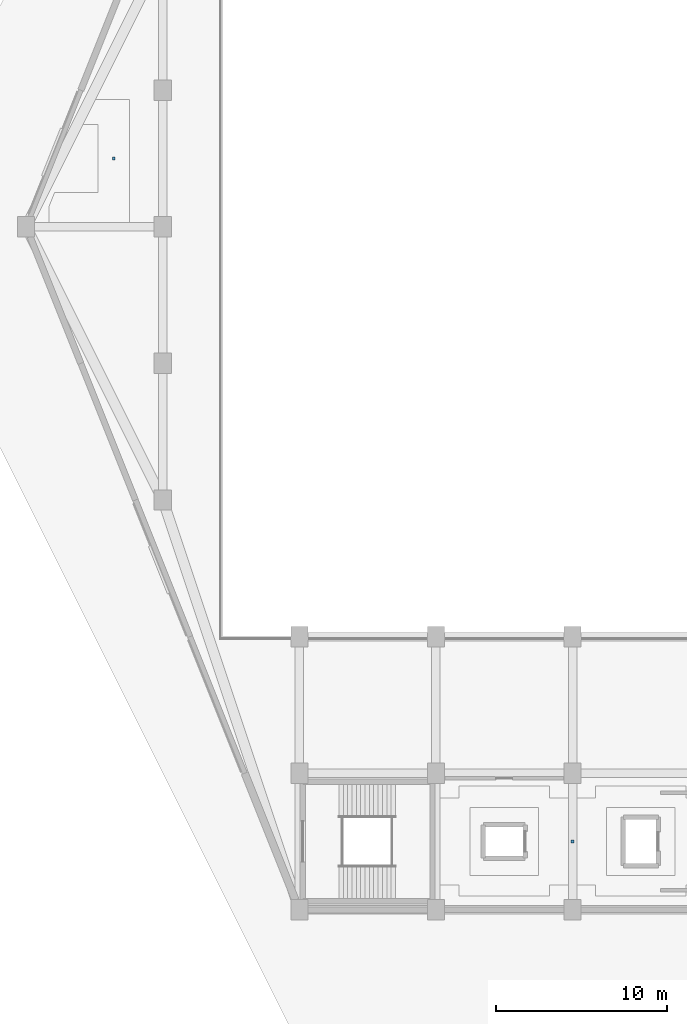
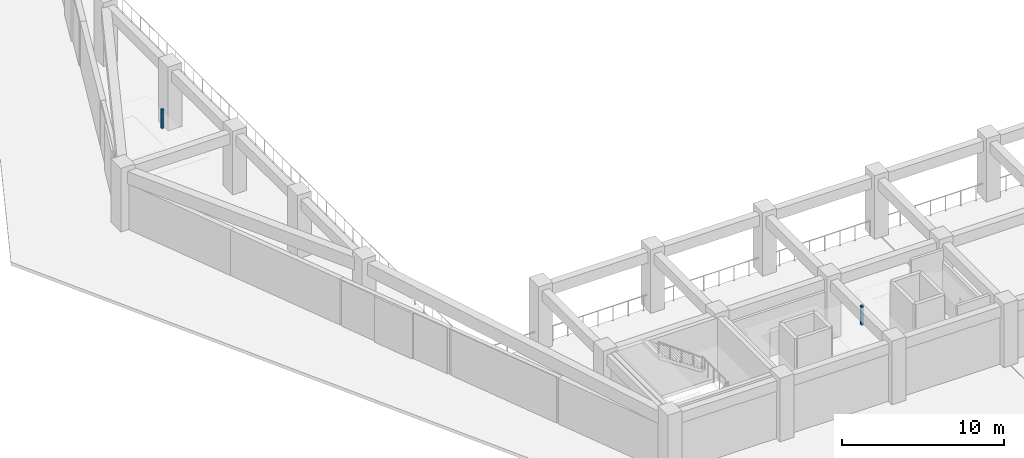
# One storey, part 6 of 8: 2 discrete accessories.
"""IFC4 building model written with IfcOpenShell, lengths in metres."""

from ifc_helpers import new_model, si_unit, direction, frame, origin, origin_2d, place, context, subcontext, project, spatial, rectangle, extrude, material, type_object, element, save


model = new_model("IFC4")

# Units and contexts
model_context = context("Model", 3, precision=1e-05, world=origin(), true_north=direction((0.0, 1.0)))
body_context = subcontext(model_context, "Body", "Model", "MODEL_VIEW")
ifc_project = project(units=[si_unit("LENGTHUNIT", "METRE"), si_unit("AREAUNIT", "SQUARE_METRE"), si_unit("VOLUMEUNIT", "CUBIC_METRE"), si_unit("PLANEANGLEUNIT", "RADIAN"), si_unit("MASSUNIT", "GRAM", prefix="KILO")], contexts=[model_context])

# Site, building, storey
site_placement = place(None, origin())
site = spatial("IfcSite", under=ifc_project, at=site_placement, CompositionType="ELEMENT")
building_placement = place(site_placement, origin())
building = spatial("IfcBuilding", under=site, at=building_placement, Name="Tazarka Park Arena", CompositionType="ELEMENT")
storey_placement = place(building_placement, frame((0.0, 0.0, 19.800048828125)))
storey = spatial("IfcBuildingStorey", under=building, at=storey_placement, Name="L04", CompositionType="ELEMENT", Elevation=19.800048828125)

# Discrete accessories
ifc_material = material(Name="Steel S355", Category="steel")
discrete_accessory_type = type_object("IfcDiscreteAccessoryType", Name="BRK-01", PredefinedType="BRACKET", material=ifc_material)
for number, where, z_axis, x_axis, name in (
    (1, (53.125, 68.0, 3.10009765625), (0.0, 0.0, 1.0), (1.0, 0.0, 0.0), "CHG-L04-010"),
    (2, (80.0, 28.0, 3.10009765625), (0.0, 0.0, 1.0), (1.0, 0.0, 0.0), "CHG-L04-011"),
):
    element("IfcDiscreteAccessory", number, at=place(storey_placement, frame(where, z_axis=z_axis, x_axis=x_axis)), inside=storey, type_object=discrete_accessory_type, Name=name, PredefinedType="BRACKET", context=body_context, shape_type="SweptSolid", body=[
        extrude(rectangle(XDim=0.159912109375, YDim=0.159912109375, at=origin_2d()), origin(), (0.0, 0.0, 1.0), 1.43994140625),
    ])

save(model, "model.ifc")
